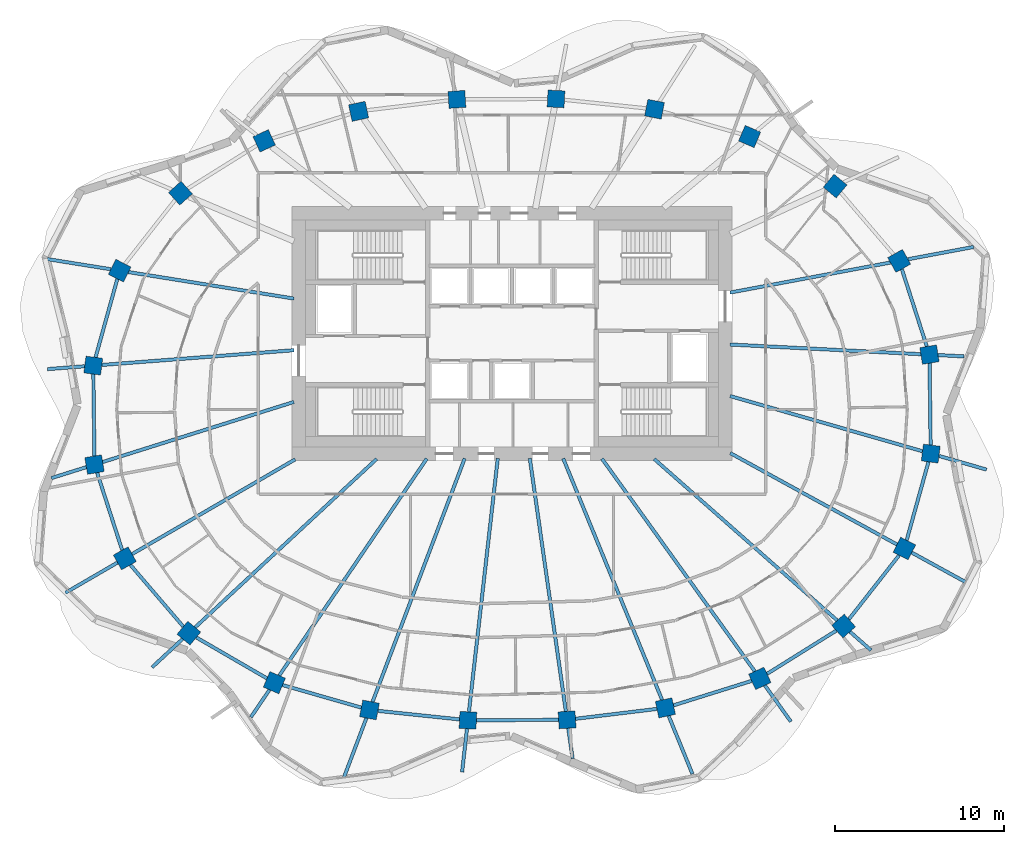
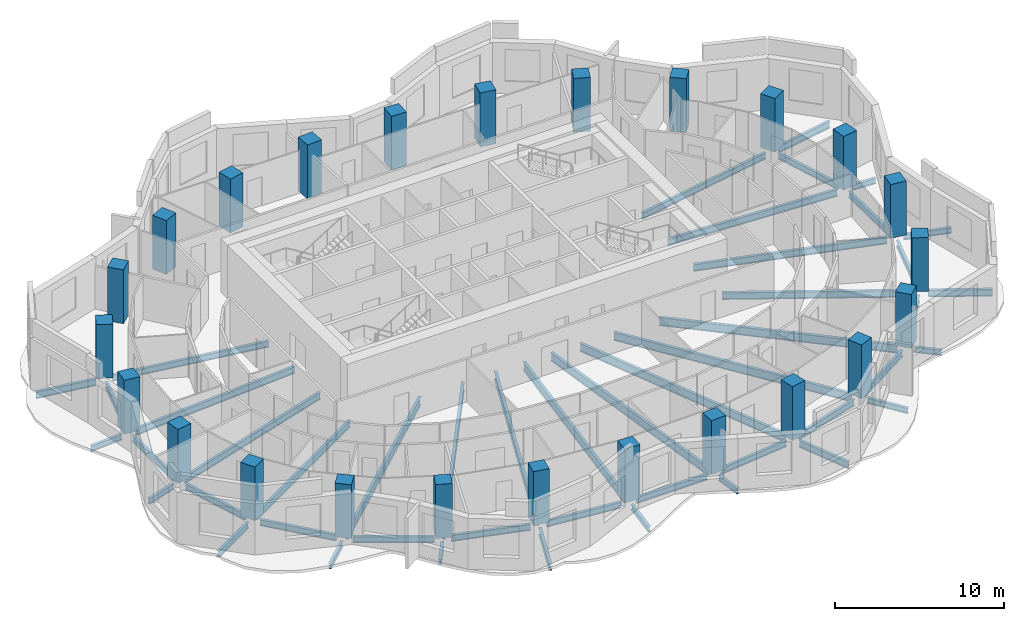
# One storey, part 1 of 11: 47 beams, 24 columns.
"""IFC4 building model written with IfcOpenShell, lengths in metres."""

from ifc_helpers import new_model, si_unit, direction, frame, origin, origin_2d, place, context, subcontext, project, spatial, rectangle, i_section, extrude, material, material_profile, profile_set, type_object, element, save


model = new_model("IFC4")

# Units and contexts
model_context = context("Model", 3, precision=1e-05, world=origin(), true_north=direction((0.0, 1.0)))
body_context = subcontext(model_context, "Body", "Model", "MODEL_VIEW")
ifc_project = project(units=[si_unit("LENGTHUNIT", "METRE"), si_unit("AREAUNIT", "SQUARE_METRE"), si_unit("VOLUMEUNIT", "CUBIC_METRE"), si_unit("PLANEANGLEUNIT", "RADIAN"), si_unit("MASSUNIT", "GRAM", prefix="KILO")], contexts=[model_context])

# Site, building, storey
site_placement = place(None, origin())
site = spatial("IfcSite", under=ifc_project, at=site_placement, CompositionType="ELEMENT")
building_placement = place(site_placement, origin())
building = spatial("IfcBuilding", under=site, at=building_placement, Name="Rubra Terraces Tower", CompositionType="ELEMENT")
storey_placement = place(building_placement, frame((0.0, 0.0, 197.39990234375)))
storey = spatial("IfcBuildingStorey", under=building, at=storey_placement, Name="L48", CompositionType="ELEMENT", Elevation=197.39990234375)

# Columns
ifc_material_1 = material(Name="Concrete C50", Category="concrete")
ifc_material_profile_1 = material_profile(ifc_material_1, rectangle(XDim=1.0, YDim=1.0, at=origin_2d()), Name="RC 1000x1000")
ifc_profile_set_1 = profile_set([ifc_material_profile_1], Name="Concrete C50")
column_type = type_object("IfcColumnType", Name="RING COLUMN RC 1000x1000 C50", PredefinedType="COLUMN", material=ifc_profile_set_1)
for number, where, z_axis, x_axis, name in (
    (1, (24.6689453125, 3.248046875, 0.0), (0.0, 0.0, 1.0), (-0.161559167715, 0.986863027642, 0.0), "column-L48-ring-01"),
    (2, (22.87890625, 8.787109375, 0.0), (0.0, 0.0, 1.0), (-0.48852601316, 0.872549330678, 0.0), "column-L48-ring-02"),
    (3, (19.092041015625, 13.208984375, 0.0), (0.0, 0.0, 1.0), (-0.76886986222, 0.63940529789, 0.0), "column-L48-ring-03"),
    (4, (14.0419921875, 16.135986328125, 0.0), (0.0, 0.0, 1.0), (-0.920167856842, 0.391524092789, 0.0), "column-L48-ring-04"),
    (5, (8.422119140625, 17.7490234375, 0.0), (0.0, 0.0, 1.0), (-0.981654668733, 0.19066754143, 0.0), "column-L48-ring-05"),
    (6, (2.60205078125, 18.35791015625, 0.0), (0.0, 0.0, 1.0), (-0.998764256028, 0.049698700995, 0.0), "column-L48-ring-06"),
    (7, (-3.25390625, 18.330078125, 0.0), (0.0, 0.0, 1.0), (-0.998031548759, -0.062713855578, 0.0), "column-L48-ring-07"),
    (8, (-9.06298828125, 17.625, 0.0), (0.0, 0.0, 1.0), (-0.977652674797, -0.210226657352, 0.0), "column-L48-ring-08"),
    (9, (-14.64306640625, 15.881103515625, 0.0), (0.0, 0.0, 1.0), (-0.908778580451, -0.417278673927, 0.0), "column-L48-ring-09"),
    (10, (-19.593017578125, 12.7900390625, 0.0), (0.0, 0.0, 1.0), (-0.744021317198, -0.668155879683, 0.0), "column-L48-ring-10"),
    (11, (-23.18505859375, 8.2099609375, 0.0), (0.0, 0.0, 1.0), (-0.451027931402, -0.892509834733, 0.0), "column-L48-ring-11"),
    (12, (-24.742919921875, 2.59912109375, 0.0), (0.0, 0.0, 1.0), (-0.128443684554, -0.991716804283, 0.0), "column-L48-ring-12"),
    (13, (-24.6689453125, -3.248046875, 0.0), (0.0, 0.0, 1.0), (0.161559167715, -0.986863027642, 0.0), "column-L48-ring-13"),
    (14, (-22.87890625, -8.787109375, 0.0), (0.0, 0.0, 1.0), (0.48852601316, -0.872549330678, 0.0), "column-L48-ring-14"),
    (15, (-19.092041015625, -13.208984375, 0.0), (0.0, 0.0, 1.0), (0.76886986222, -0.63940529789, 0.0), "column-L48-ring-15"),
    (16, (-14.0419921875, -16.135986328125, 0.0), (0.0, 0.0, 1.0), (0.920167856842, -0.391524092789, 0.0), "column-L48-ring-16"),
    (17, (-8.422119140625, -17.7490234375, 0.0), (0.0, 0.0, 1.0), (0.981654668733, -0.19066754143, 0.0), "column-L48-ring-17"),
    (18, (-2.60205078125, -18.35791015625, 0.0), (0.0, 0.0, 1.0), (0.998764256028, -0.049698700995, 0.0), "column-L48-ring-18"),
    (19, (3.25390625, -18.330078125, 0.0), (0.0, 0.0, 1.0), (0.998031548759, 0.062713855578, 0.0), "column-L48-ring-19"),
    (20, (9.06298828125, -17.625, 0.0), (0.0, 0.0, 1.0), (0.977652674797, 0.210226657352, 0.0), "column-L48-ring-20"),
    (21, (14.64306640625, -15.881103515625, 0.0), (0.0, 0.0, 1.0), (0.908778580451, 0.417278673927, 0.0), "column-L48-ring-21"),
    (22, (19.593017578125, -12.7900390625, 0.0), (0.0, 0.0, 1.0), (0.744021317198, 0.668155879683, 0.0), "column-L48-ring-22"),
    (23, (23.18505859375, -8.2099609375, 0.0), (0.0, 0.0, 1.0), (0.451027931402, 0.892509834733, 0.0), "column-L48-ring-23"),
    (24, (24.742919921875, -2.59912109375, 0.0), (0.0, 0.0, 1.0), (0.128443684554, 0.991716804283, 0.0), "column-L48-ring-24"),
):
    element("IfcColumn", number, at=place(storey_placement, frame(where, z_axis=z_axis, x_axis=x_axis)), inside=storey, type_object=column_type, Name=name, PredefinedType="COLUMN", context=body_context, shape_type="SweptSolid", body=[
        extrude(rectangle(XDim=1.0, YDim=1.0, at=origin_2d()), origin(), (0.0, 0.0, 1.0), 3.900146484375),
    ])

# Beams
ifc_material_2 = material(Name="Steel Q355B", Category="steel")
ifc_material_profile_2 = material_profile(ifc_material_2, i_section(OverallWidth=0.199951171875, OverallDepth=0.39990234375, WebThickness=0.008056640625, FlangeThickness=0.012939453125, at=origin_2d()), Name="HN 400x200x8x13")
ifc_profile_set_2 = profile_set([ifc_material_profile_2], Name="Steel Q355B")
beam_type_1 = type_object("IfcBeamType", Name="CANTILEVER BEAM HN 400x200x8x13", PredefinedType="BEAM", material=ifc_profile_set_2)
beam_1_placement = place(storey_placement, frame((25.179931640625, 3.221923828125, -0.39990234375), z_axis=(0.998705379321, -0.050868116877, 0.0), x_axis=(0.050868116877, 0.998705379321, 0.0)))
element("IfcBeam", 25, at=beam_1_placement, inside=storey, type_object=beam_type_1, Name="beam-L48-cant-01", PredefinedType="BEAM", context=body_context, shape_type="SweptSolid", body=[
    extrude(i_section(OverallWidth=0.199951171875, OverallDepth=0.39990234375, WebThickness=0.008056640625, FlangeThickness=0.012939453125, at=origin_2d()), origin(), (0.0, 0.0, 1.0), 1.531005859375),
])
beam_2_placement = place(storey_placement, frame((-25.251953125, 2.56005859375, -0.39990234375), z_axis=(-0.997072655985, -0.076459915552, 0.0), x_axis=(0.076459915552, -0.997072655985, 0.0)))
element("IfcBeam", 26, at=beam_2_placement, inside=storey, type_object=beam_type_1, Name="beam-L48-cant-12", PredefinedType="BEAM", context=body_context, shape_type="SweptSolid", body=[
    extrude(i_section(OverallWidth=0.199951171875, OverallDepth=0.39990234375, WebThickness=0.008056640625, FlangeThickness=0.012939453125, at=origin_2d()), origin(), (0.0, 0.0, 1.0), 2.20947265625),
])
beam_3_placement = place(storey_placement, frame((-25.15087890625, -3.39892578125, -0.39990234375), z_axis=(-0.953976176962, -0.299882399933, 0.0), x_axis=(0.299882399933, -0.953976176962, 0.0)))
element("IfcBeam", 27, at=beam_3_placement, inside=storey, type_object=beam_type_1, Name="beam-L48-cant-13", PredefinedType="BEAM", context=body_context, shape_type="SweptSolid", body=[
    extrude(i_section(OverallWidth=0.199951171875, OverallDepth=0.39990234375, WebThickness=0.008056640625, FlangeThickness=0.012939453125, at=origin_2d()), origin(), (0.0, 0.0, 1.0), 2.161376953125),
])
beam_4_placement = place(storey_placement, frame((-19.4619140625, -13.552001953125, -0.39990234375), z_axis=(-0.733131141313, -0.6800872956, 0.0), x_axis=(0.6800872956, -0.733131141313, 0.0)))
element("IfcBeam", 28, at=beam_4_placement, inside=storey, type_object=beam_type_1, Name="beam-L48-cant-15", PredefinedType="BEAM", context=body_context, shape_type="SweptSolid", body=[
    extrude(i_section(OverallWidth=0.199951171875, OverallDepth=0.39990234375, WebThickness=0.008056640625, FlangeThickness=0.012939453125, at=origin_2d()), origin(), (0.0, 0.0, 1.0), 2.4716796875),
])
beam_5_placement = place(storey_placement, frame((-14.3291015625, -16.556884765625, -0.39990234375), z_axis=(-0.562330561229, -0.826912534618, 0.0), x_axis=(0.826912534618, -0.562330561229, 0.0)))
element("IfcBeam", 29, at=beam_5_placement, inside=storey, type_object=beam_type_1, Name="beam-L48-cant-16", PredefinedType="BEAM", context=body_context, shape_type="SweptSolid", body=[
    extrude(i_section(OverallWidth=0.199951171875, OverallDepth=0.39990234375, WebThickness=0.008056640625, FlangeThickness=0.012939453125, at=origin_2d()), origin(), (0.0, 0.0, 1.0), 1.95068359375),
])
beam_6_placement = place(storey_placement, frame((-2.658935546875, -18.85595703125, -0.39990234375), z_axis=(-0.11286294962, -0.993610564861, 0.0), x_axis=(0.993610564861, -0.11286294962, 0.0)))
element("IfcBeam", 30, at=beam_6_placement, inside=storey, type_object=beam_type_1, Name="beam-L48-cant-18", PredefinedType="BEAM", context=body_context, shape_type="SweptSolid", body=[
    extrude(i_section(OverallWidth=0.199951171875, OverallDepth=0.39990234375, WebThickness=0.008056640625, FlangeThickness=0.012939453125, at=origin_2d()), origin(), (0.0, 0.0, 1.0), 2.578369140625),
])
beam_7_placement = place(storey_placement, frame((3.324951171875, -18.826904296875, -0.39990234375), z_axis=(0.141308200987, -0.989965652098, 0.0), x_axis=(0.989965652098, 0.141308200987, 0.0)))
element("IfcBeam", 31, at=beam_7_placement, inside=storey, type_object=beam_type_1, Name="beam-L48-cant-19", PredefinedType="BEAM", context=body_context, shape_type="SweptSolid", body=[
    extrude(i_section(OverallWidth=0.199951171875, OverallDepth=0.39990234375, WebThickness=0.008056640625, FlangeThickness=0.012939453125, at=origin_2d()), origin(), (0.0, 0.0, 1.0), 1.812255859375),
])
beam_8_placement = place(storey_placement, frame((14.93994140625, -16.294921875, -0.39990234375), z_axis=(0.583708638616, -0.811963192026, 0.0), x_axis=(0.811963192026, 0.583708638616, 0.0)))
element("IfcBeam", 32, at=beam_8_placement, inside=storey, type_object=beam_type_1, Name="beam-L48-cant-21", PredefinedType="BEAM", context=body_context, shape_type="SweptSolid", body=[
    extrude(i_section(OverallWidth=0.199951171875, OverallDepth=0.39990234375, WebThickness=0.008056640625, FlangeThickness=0.012939453125, at=origin_2d()), origin(), (0.0, 0.0, 1.0), 2.63330078125),
])
beam_9_placement = place(storey_placement, frame((19.969970703125, -13.123046875, -0.39990234375), z_axis=(0.749803442834, -0.661660635911, 0.0), x_axis=(0.661660635911, 0.749803442834, 0.0)))
element("IfcBeam", 33, at=beam_9_placement, inside=storey, type_object=beam_type_1, Name="beam-L48-cant-22", PredefinedType="BEAM", context=body_context, shape_type="SweptSolid", body=[
    extrude(i_section(OverallWidth=0.199951171875, OverallDepth=0.39990234375, WebThickness=0.008056640625, FlangeThickness=0.012939453125, at=origin_2d()), origin(), (0.0, 0.0, 1.0), 1.65625),
])
beam_10_placement = place(storey_placement, frame((25.22900390625, -2.738037109375, -0.39990234375), z_axis=(0.961186154609, -0.275900663625, 0.0), x_axis=(0.275900663625, 0.961186154609, 0.0)))
element("IfcBeam", 34, at=beam_10_placement, inside=storey, type_object=beam_type_1, Name="beam-L48-cant-24", PredefinedType="BEAM", context=body_context, shape_type="SweptSolid", body=[
    extrude(i_section(OverallWidth=0.199951171875, OverallDepth=0.39990234375, WebThickness=0.008056640625, FlangeThickness=0.012939453125, at=origin_2d()), origin(), (0.0, 0.0, 1.0), 2.924560546875),
])
ifc_material_profile_3 = material_profile(ifc_material_2, i_section(OverallWidth=0.198974609375, OverallDepth=0.446044921875, WebThickness=0.008056640625, FlangeThickness=0.011962890625, at=origin_2d()), Name="HN 446x199x8x12")
ifc_profile_set_3 = profile_set([ifc_material_profile_3], Name="Steel Q355B")
beam_type_2 = type_object("IfcBeamType", Name="CANTILEVER BEAM HN 446x199x8x12", PredefinedType="BEAM", material=ifc_profile_set_3)
beam_11_placement = place(storey_placement, frame((-23.31103515625, -9.0380859375, -0.4228515625), z_axis=(-0.864736046466, -0.50222661214, 0.0), x_axis=(0.50222661214, -0.864736046466, 0.0)))
element("IfcBeam", 35, at=beam_11_placement, inside=storey, type_object=beam_type_2, Name="beam-L48-cant-14", PredefinedType="BEAM", context=body_context, shape_type="SweptSolid", body=[
    extrude(i_section(OverallWidth=0.198974609375, OverallDepth=0.446044921875, WebThickness=0.008056640625, FlangeThickness=0.011962890625, at=origin_2d()), origin(), (0.0, 0.0, 1.0), 3.555908203125),
])
ifc_material_profile_4 = material_profile(ifc_material_2, i_section(OverallWidth=0.198974609375, OverallDepth=0.49609375, WebThickness=0.009033203125, FlangeThickness=0.013916015625, at=origin_2d()), Name="HN 496x199x9x14")
ifc_profile_set_4 = profile_set([ifc_material_profile_4], Name="Steel Q355B")
beam_type_3 = type_object("IfcBeamType", Name="CANTILEVER BEAM HN 496x199x9x14", PredefinedType="BEAM", material=ifc_profile_set_4)
beam_12_placement = place(storey_placement, frame((23.39794921875, 8.884033203125, -0.447998046875), z_axis=(0.982865888577, 0.18432212312, 0.0), x_axis=(-0.18432212312, 0.982865888577, 0.0)))
element("IfcBeam", 36, at=beam_12_placement, inside=storey, type_object=beam_type_3, Name="beam-L48-cant-02", PredefinedType="BEAM", context=body_context, shape_type="SweptSolid", body=[
    extrude(i_section(OverallWidth=0.198974609375, OverallDepth=0.49609375, WebThickness=0.009033203125, FlangeThickness=0.013916015625, at=origin_2d()), origin(), (0.0, 0.0, 1.0), 3.94970703125),
])
beam_13_placement = place(storey_placement, frame((-23.702880859375, 8.29296875, -0.447998046875), z_axis=(-0.98745581053, 0.157895605548, 0.0), x_axis=(-0.157895605548, -0.98745581053, 0.0)))
element("IfcBeam", 37, at=beam_13_placement, inside=storey, type_object=beam_type_3, Name="beam-L48-cant-11", PredefinedType="BEAM", context=body_context, shape_type="SweptSolid", body=[
    extrude(i_section(OverallWidth=0.198974609375, OverallDepth=0.49609375, WebThickness=0.009033203125, FlangeThickness=0.013916015625, at=origin_2d()), origin(), (0.0, 0.0, 1.0), 3.81298828125),
])
beam_14_placement = place(storey_placement, frame((-8.60205078125, -18.222900390625, -0.447998046875), z_axis=(-0.353975284334, -0.935254777096, 0.0), x_axis=(0.935254777096, -0.353975284334, 0.0)))
element("IfcBeam", 38, at=beam_14_placement, inside=storey, type_object=beam_type_3, Name="beam-L48-cant-17", PredefinedType="BEAM", context=body_context, shape_type="SweptSolid", body=[
    extrude(i_section(OverallWidth=0.198974609375, OverallDepth=0.49609375, WebThickness=0.009033203125, FlangeThickness=0.013916015625, at=origin_2d()), origin(), (0.0, 0.0, 1.0), 3.816162109375),
])
beam_15_placement = place(storey_placement, frame((9.256103515625, -18.094970703125, -0.447998046875), z_axis=(0.378876573118, -0.925447212078, 0.0), x_axis=(0.925447212078, 0.378876573118, 0.0)))
element("IfcBeam", 39, at=beam_15_placement, inside=storey, type_object=beam_type_3, Name="beam-L48-cant-20", PredefinedType="BEAM", context=body_context, shape_type="SweptSolid", body=[
    extrude(i_section(OverallWidth=0.198974609375, OverallDepth=0.49609375, WebThickness=0.009033203125, FlangeThickness=0.013916015625, at=origin_2d()), origin(), (0.0, 0.0, 1.0), 3.705078125),
])
beam_16_placement = place(storey_placement, frame((23.6240234375, -8.449951171875, -0.447998046875), z_axis=(0.876754126766, -0.480938874701, 0.0), x_axis=(0.480938874701, 0.876754126766, 0.0)))
element("IfcBeam", 40, at=beam_16_placement, inside=storey, type_object=beam_type_3, Name="beam-L48-cant-23", PredefinedType="BEAM", context=body_context, shape_type="SweptSolid", body=[
    extrude(i_section(OverallWidth=0.198974609375, OverallDepth=0.49609375, WebThickness=0.009033203125, FlangeThickness=0.013916015625, at=origin_2d()), origin(), (0.0, 0.0, 1.0), 3.8173828125),
])
ifc_material_profile_5 = material_profile(ifc_material_2, i_section(OverallWidth=0.198974609375, OverallDepth=0.446044921875, WebThickness=0.008056640625, FlangeThickness=0.011962890625, at=origin_2d()), Name="HN 446x199x8x12")
ifc_profile_set_5 = profile_set([ifc_material_profile_5], Name="Steel Q355B")
beam_type_4 = type_object("IfcBeamType", Name="FLOOR BEAM HN 446x199x8x12", PredefinedType="BEAM", material=ifc_profile_set_5)
beam_17_placement = place(storey_placement, frame((22.360107421875, 8.68994140625, -0.4228515625), z_axis=(-0.982895681695, -0.18416318553, 0.0), x_axis=(0.18416318553, -0.982895681695, 0.0)))
element("IfcBeam", 41, at=beam_17_placement, inside=storey, type_object=beam_type_4, Name="beam-L48-floor-02", PredefinedType="BEAM", context=body_context, shape_type="SweptSolid", body=[
    extrude(i_section(OverallWidth=0.198974609375, OverallDepth=0.446044921875, WebThickness=0.008056640625, FlangeThickness=0.011962890625, at=origin_2d()), origin(), (0.0, 0.0, 1.0), 9.64306640625),
])
beam_18_placement = place(storey_placement, frame((-22.6669921875, 8.126953125, -0.4228515625), z_axis=(0.987435404133, -0.158023171289, 0.0), x_axis=(0.158023171289, 0.987435404133, 0.0)))
element("IfcBeam", 42, at=beam_18_placement, inside=storey, type_object=beam_type_4, Name="beam-L48-floor-11", PredefinedType="BEAM", context=body_context, shape_type="SweptSolid", body=[
    extrude(i_section(OverallWidth=0.198974609375, OverallDepth=0.446044921875, WebThickness=0.008056640625, FlangeThickness=0.011962890625, at=origin_2d()), origin(), (0.0, 0.0, 1.0), 9.909423828125),
])
ifc_material_profile_6 = material_profile(ifc_material_2, i_section(OverallWidth=0.198974609375, OverallDepth=0.49609375, WebThickness=0.009033203125, FlangeThickness=0.013916015625, at=origin_2d()), Name="HN 496x199x9x14")
ifc_profile_set_6 = profile_set([ifc_material_profile_6], Name="Steel Q355B")
beam_type_5 = type_object("IfcBeamType", Name="FLOOR BEAM HN 496x199x9x14", PredefinedType="BEAM", material=ifc_profile_set_6)
beam_19_placement = place(storey_placement, frame((24.157958984375, 3.27392578125, -0.447998046875), z_axis=(-0.998716228561, 0.050654662269, 0.0), x_axis=(-0.050654662269, -0.998716228561, 0.0)))
element("IfcBeam", 43, at=beam_19_placement, inside=storey, type_object=beam_type_5, Name="beam-L48-floor-01", PredefinedType="BEAM", context=body_context, shape_type="SweptSolid", body=[
    extrude(i_section(OverallWidth=0.198974609375, OverallDepth=0.49609375, WebThickness=0.009033203125, FlangeThickness=0.013916015625, at=origin_2d()), origin(), (0.0, 0.0, 1.0), 11.29248046875),
])
beam_20_placement = place(storey_placement, frame((-24.23388671875, 2.637939453125, -0.447998046875), z_axis=(0.997063306908, 0.076581734234, 0.0), x_axis=(-0.076581734234, 0.997063306908, 0.0)))
element("IfcBeam", 44, at=beam_20_placement, inside=storey, type_object=beam_type_5, Name="beam-L48-floor-12", PredefinedType="BEAM", context=body_context, shape_type="SweptSolid", body=[
    extrude(i_section(OverallWidth=0.198974609375, OverallDepth=0.49609375, WebThickness=0.009033203125, FlangeThickness=0.013916015625, at=origin_2d()), origin(), (0.0, 0.0, 1.0), 11.387451171875),
])
beam_21_placement = place(storey_placement, frame((-24.18701171875, -3.096923828125, -0.447998046875), z_axis=(0.954040699023, 0.299677067204, 0.0), x_axis=(-0.299677067204, 0.954040699023, 0.0)))
element("IfcBeam", 45, at=beam_21_placement, inside=storey, type_object=beam_type_5, Name="beam-L48-floor-13", PredefinedType="BEAM", context=body_context, shape_type="SweptSolid", body=[
    extrude(i_section(OverallWidth=0.198974609375, OverallDepth=0.49609375, WebThickness=0.009033203125, FlangeThickness=0.013916015625, at=origin_2d()), origin(), (0.0, 0.0, 1.0), 11.845458984375),
])
beam_22_placement = place(storey_placement, frame((-22.447021484375, -8.535888671875, -0.447998046875), z_axis=(0.864755491844, 0.502193129508, 0.0), x_axis=(-0.502193129508, 0.864755491844, 0.0)))
element("IfcBeam", 46, at=beam_22_placement, inside=storey, type_object=beam_type_5, Name="beam-L48-floor-14", PredefinedType="BEAM", context=body_context, shape_type="SweptSolid", body=[
    extrude(i_section(OverallWidth=0.198974609375, OverallDepth=0.49609375, WebThickness=0.009033203125, FlangeThickness=0.013916015625, at=origin_2d()), origin(), (0.0, 0.0, 1.0), 11.14306640625),
])
beam_23_placement = place(storey_placement, frame((22.74609375, -7.969970703125, -0.447998046875), z_axis=(-0.876862055903, 0.480742066932, 0.0), x_axis=(-0.480742066932, -0.876862055903, 0.0)))
element("IfcBeam", 47, at=beam_23_placement, inside=storey, type_object=beam_type_5, Name="beam-L48-floor-23", PredefinedType="BEAM", context=body_context, shape_type="SweptSolid", body=[
    extrude(i_section(OverallWidth=0.198974609375, OverallDepth=0.49609375, WebThickness=0.009033203125, FlangeThickness=0.013916015625, at=origin_2d()), origin(), (0.0, 0.0, 1.0), 11.234375),
])
beam_24_placement = place(storey_placement, frame((24.257080078125, -2.4599609375, -0.447998046875), z_axis=(-0.961215754667, 0.275797521707, 0.0), x_axis=(-0.275797521707, -0.961215754667, 0.0)))
element("IfcBeam", 48, at=beam_24_placement, inside=storey, type_object=beam_type_5, Name="beam-L48-floor-24", PredefinedType="BEAM", context=body_context, shape_type="SweptSolid", body=[
    extrude(i_section(OverallWidth=0.198974609375, OverallDepth=0.49609375, WebThickness=0.009033203125, FlangeThickness=0.013916015625, at=origin_2d()), origin(), (0.0, 0.0, 1.0), 11.830810546875),
])
ifc_material_profile_7 = material_profile(ifc_material_2, i_section(OverallWidth=0.198974609375, OverallDepth=0.595947265625, WebThickness=0.010009765625, FlangeThickness=0.014892578125, at=origin_2d()), Name="HN 596x199x10x15")
ifc_profile_set_7 = profile_set([ifc_material_profile_7], Name="Steel Q355B")
beam_type_6 = type_object("IfcBeamType", Name="FLOOR BEAM HN 596x199x10x15", PredefinedType="BEAM", material=ifc_profile_set_7)
beam_25_placement = place(storey_placement, frame((-18.721923828125, -12.865966796875, -0.497802734375), z_axis=(0.733130458484, 0.680088031687, 0.0), x_axis=(-0.680088031687, 0.733130458484, 0.0)))
element("IfcBeam", 49, at=beam_25_placement, inside=storey, type_object=beam_type_6, Name="beam-L48-floor-15", PredefinedType="BEAM", context=body_context, shape_type="SweptSolid", body=[
    extrude(i_section(OverallWidth=0.198974609375, OverallDepth=0.595947265625, WebThickness=0.010009765625, FlangeThickness=0.014892578125, at=origin_2d()), origin(), (0.0, 0.0, 1.0), 14.62744140625),
])
beam_26_placement = place(storey_placement, frame((-13.7548828125, -15.715087890625, -0.497802734375), z_axis=(0.562545242124, 0.826766503049, 0.0), x_axis=(-0.826766503049, 0.562545242124, 0.0)))
element("IfcBeam", 50, at=beam_26_placement, inside=storey, type_object=beam_type_6, Name="beam-L48-floor-16", PredefinedType="BEAM", context=body_context, shape_type="SweptSolid", body=[
    extrude(i_section(OverallWidth=0.198974609375, OverallDepth=0.595947265625, WebThickness=0.010009765625, FlangeThickness=0.014892578125, at=origin_2d()), origin(), (0.0, 0.0, 1.0), 15.499267578125),
])
beam_27_placement = place(storey_placement, frame((-8.241943359375, -17.27490234375, -0.497802734375), z_axis=(0.353955134415, 0.93526240319, 0.0), x_axis=(-0.93526240319, 0.353955134415, 0.0)))
element("IfcBeam", 51, at=beam_27_placement, inside=storey, type_object=beam_type_6, Name="beam-L48-floor-17", PredefinedType="BEAM", context=body_context, shape_type="SweptSolid", body=[
    extrude(i_section(OverallWidth=0.198974609375, OverallDepth=0.595947265625, WebThickness=0.010009765625, FlangeThickness=0.014892578125, at=origin_2d()), origin(), (0.0, 0.0, 1.0), 15.3828125),
])
beam_28_placement = place(storey_placement, frame((-2.544921875, -17.860107421875, -0.497802734375), z_axis=(0.113084825914, 0.993585337124, 0.0), x_axis=(-0.993585337124, 0.113084825914, 0.0)))
element("IfcBeam", 52, at=beam_28_placement, inside=storey, type_object=beam_type_6, Name="beam-L48-floor-18", PredefinedType="BEAM", context=body_context, shape_type="SweptSolid", body=[
    extrude(i_section(OverallWidth=0.198974609375, OverallDepth=0.595947265625, WebThickness=0.010009765625, FlangeThickness=0.014892578125, at=origin_2d()), origin(), (0.0, 0.0, 1.0), 15.07568359375),
])
beam_29_placement = place(storey_placement, frame((3.18310546875, -17.8330078125, -0.497802734375), z_axis=(-0.141104514479, 0.989994705033, 0.0), x_axis=(-0.989994705033, -0.141104514479, 0.0)))
element("IfcBeam", 53, at=beam_29_placement, inside=storey, type_object=beam_type_6, Name="beam-L48-floor-19", PredefinedType="BEAM", context=body_context, shape_type="SweptSolid", body=[
    extrude(i_section(OverallWidth=0.198974609375, OverallDepth=0.595947265625, WebThickness=0.010009765625, FlangeThickness=0.014892578125, at=origin_2d()), origin(), (0.0, 0.0, 1.0), 15.10302734375),
])
beam_30_placement = place(storey_placement, frame((8.8701171875, -17.155029296875, -0.497802734375), z_axis=(-0.379015131933, 0.925390474214, 0.0), x_axis=(-0.925390474214, -0.379015131933, 0.0)))
element("IfcBeam", 54, at=beam_30_placement, inside=storey, type_object=beam_type_6, Name="beam-L48-floor-20", PredefinedType="BEAM", context=body_context, shape_type="SweptSolid", body=[
    extrude(i_section(OverallWidth=0.198974609375, OverallDepth=0.595947265625, WebThickness=0.010009765625, FlangeThickness=0.014892578125, at=origin_2d()), origin(), (0.0, 0.0, 1.0), 15.416259765625),
])
beam_31_placement = place(storey_placement, frame((14.345947265625, -15.467041015625, -0.497802734375), z_axis=(-0.583528740197, 0.812092488183, 0.0), x_axis=(-0.812092488183, -0.583528740197, 0.0)))
element("IfcBeam", 55, at=beam_31_placement, inside=storey, type_object=beam_type_6, Name="beam-L48-floor-21", PredefinedType="BEAM", context=body_context, shape_type="SweptSolid", body=[
    extrude(i_section(OverallWidth=0.198974609375, OverallDepth=0.595947265625, WebThickness=0.010009765625, FlangeThickness=0.014892578125, at=origin_2d()), origin(), (0.0, 0.0, 1.0), 15.47119140625),
])
beam_32_placement = place(storey_placement, frame((19.216064453125, -12.45703125, -0.497802734375), z_axis=(-0.749823025288, 0.661638444128, 0.0), x_axis=(-0.661638444128, -0.749823025288, 0.0)))
element("IfcBeam", 56, at=beam_32_placement, inside=storey, type_object=beam_type_6, Name="beam-L48-floor-22", PredefinedType="BEAM", context=body_context, shape_type="SweptSolid", body=[
    extrude(i_section(OverallWidth=0.198974609375, OverallDepth=0.595947265625, WebThickness=0.010009765625, FlangeThickness=0.014892578125, at=origin_2d()), origin(), (0.0, 0.0, 1.0), 14.412841796875),
])
ifc_material_profile_8 = material_profile(ifc_material_2, i_section(OverallWidth=0.198974609375, OverallDepth=0.446044921875, WebThickness=0.008056640625, FlangeThickness=0.011962890625, at=origin_2d()), Name="HN 446x199x8x12")
ifc_profile_set_8 = profile_set([ifc_material_profile_8], Name="Steel Q355B")
beam_type_7 = type_object("IfcBeamType", Name="SPANDREL BEAM HN 446x199x8x12", PredefinedType="SPANDREL", material=ifc_profile_set_8)
beam_33_placement = place(storey_placement, frame((24.512939453125, 3.72900390625, -0.4228515625), z_axis=(-0.307359002872, 0.951593633519, 0.0), x_axis=(-0.951593633519, -0.307359002872, 0.0)))
element("IfcBeam", 57, at=beam_33_placement, inside=storey, type_object=beam_type_7, Name="beam-L48-spandrel-01", PredefinedType="SPANDREL", context=body_context, shape_type="SweptSolid", body=[
    extrude(i_section(OverallWidth=0.198974609375, OverallDepth=0.446044921875, WebThickness=0.008056640625, FlangeThickness=0.011962890625, at=origin_2d()), origin(), (0.0, 0.0, 1.0), 4.8056640625),
])
beam_34_placement = place(storey_placement, frame((-23.321044921875, 7.718994140625, -0.4228515625), z_axis=(-0.267625533012, -0.963523001324, 0.0), x_axis=(0.963523001324, -0.267625533012, 0.0)))
element("IfcBeam", 58, at=beam_34_placement, inside=storey, type_object=beam_type_7, Name="beam-L48-spandrel-11", PredefinedType="SPANDREL", context=body_context, shape_type="SweptSolid", body=[
    extrude(i_section(OverallWidth=0.198974609375, OverallDepth=0.446044921875, WebThickness=0.008056640625, FlangeThickness=0.011962890625, at=origin_2d()), origin(), (0.0, 0.0, 1.0), 4.808349609375),
])
beam_35_placement = place(storey_placement, frame((-24.737060546875, 2.093994140625, -0.4228515625), z_axis=(0.012822047643, -0.999917794168, 0.0), x_axis=(0.999917794168, 0.012822047643, 0.0)))
element("IfcBeam", 59, at=beam_35_placement, inside=storey, type_object=beam_type_7, Name="beam-L48-spandrel-12", PredefinedType="SPANDREL", context=body_context, shape_type="SweptSolid", body=[
    extrude(i_section(OverallWidth=0.198974609375, OverallDepth=0.446044921875, WebThickness=0.008056640625, FlangeThickness=0.011962890625, at=origin_2d()), origin(), (0.0, 0.0, 1.0), 4.83642578125),
])
beam_36_placement = place(storey_placement, frame((-24.512939453125, -3.72900390625, -0.4228515625), z_axis=(0.307359002872, -0.951593633519, 0.0), x_axis=(0.951593633519, 0.307359002872, 0.0)))
element("IfcBeam", 60, at=beam_36_placement, inside=storey, type_object=beam_type_7, Name="beam-L48-spandrel-13", PredefinedType="SPANDREL", context=body_context, shape_type="SweptSolid", body=[
    extrude(i_section(OverallWidth=0.198974609375, OverallDepth=0.446044921875, WebThickness=0.008056640625, FlangeThickness=0.011962890625, at=origin_2d()), origin(), (0.0, 0.0, 1.0), 4.8056640625),
])
beam_37_placement = place(storey_placement, frame((-22.547119140625, -9.174072265625, -0.4228515625), z_axis=(0.650372836218, -0.759615148552, 0.0), x_axis=(0.759615148552, 0.650372836218, 0.0)))
element("IfcBeam", 61, at=beam_37_placement, inside=storey, type_object=beam_type_7, Name="beam-L48-spandrel-14", PredefinedType="SPANDREL", context=body_context, shape_type="SweptSolid", body=[
    extrude(i_section(OverallWidth=0.198974609375, OverallDepth=0.446044921875, WebThickness=0.008056640625, FlangeThickness=0.011962890625, at=origin_2d()), origin(), (0.0, 0.0, 1.0), 4.804931640625),
])
beam_38_placement = place(storey_placement, frame((-18.653076171875, -13.462890625, -0.4228515625), z_axis=(0.865153680787, -0.501506838059, 0.0), x_axis=(0.501506838059, 0.865153680787, 0.0)))
element("IfcBeam", 62, at=beam_38_placement, inside=storey, type_object=beam_type_7, Name="beam-L48-spandrel-15", PredefinedType="SPANDREL", context=body_context, shape_type="SweptSolid", body=[
    extrude(i_section(OverallWidth=0.198974609375, OverallDepth=0.446044921875, WebThickness=0.008056640625, FlangeThickness=0.011962890625, at=origin_2d()), origin(), (0.0, 0.0, 1.0), 4.82568359375),
])
beam_39_placement = place(storey_placement, frame((-13.55810546875, -16.27490234375, -0.4228515625), z_axis=(0.961171164323, -0.275952881621, 0.0), x_axis=(0.275952881621, 0.961171164323, 0.0)))
element("IfcBeam", 63, at=beam_39_placement, inside=storey, type_object=beam_type_7, Name="beam-L48-spandrel-16", PredefinedType="SPANDREL", context=body_context, shape_type="SweptSolid", body=[
    extrude(i_section(OverallWidth=0.198974609375, OverallDepth=0.446044921875, WebThickness=0.008056640625, FlangeThickness=0.011962890625, at=origin_2d()), origin(), (0.0, 0.0, 1.0), 4.842041015625),
])
beam_40_placement = place(storey_placement, frame((-7.923095703125, -17.801025390625, -0.4228515625), z_axis=(0.994565426955, -0.104113454971, 0.0), x_axis=(0.104113454971, 0.994565426955, 0.0)))
element("IfcBeam", 64, at=beam_40_placement, inside=storey, type_object=beam_type_7, Name="beam-L48-spandrel-17", PredefinedType="SPANDREL", context=body_context, shape_type="SweptSolid", body=[
    extrude(i_section(OverallWidth=0.198974609375, OverallDepth=0.446044921875, WebThickness=0.008056640625, FlangeThickness=0.011962890625, at=origin_2d()), origin(), (0.0, 0.0, 1.0), 4.849365234375),
])
beam_41_placement = place(storey_placement, frame((-2.10107421875, -18.35595703125, -0.4228515625), z_axis=(0.999987852299, 0.004929021704, 0.0), x_axis=(-0.004929021704, 0.999987852299, 0.0)))
element("IfcBeam", 65, at=beam_41_placement, inside=storey, type_object=beam_type_7, Name="beam-L48-spandrel-18", PredefinedType="SPANDREL", context=body_context, shape_type="SweptSolid", body=[
    extrude(i_section(OverallWidth=0.198974609375, OverallDepth=0.446044921875, WebThickness=0.008056640625, FlangeThickness=0.011962890625, at=origin_2d()), origin(), (0.0, 0.0, 1.0), 4.85400390625),
])
beam_42_placement = place(storey_placement, frame((3.7509765625, -18.27001953125, -0.4228515625), z_axis=(0.992698018573, 0.120626049929, 0.0), x_axis=(-0.120626049929, 0.992698018573, 0.0)))
element("IfcBeam", 66, at=beam_42_placement, inside=storey, type_object=beam_type_7, Name="beam-L48-spandrel-19", PredefinedType="SPANDREL", context=body_context, shape_type="SweptSolid", body=[
    extrude(i_section(OverallWidth=0.198974609375, OverallDepth=0.446044921875, WebThickness=0.008056640625, FlangeThickness=0.011962890625, at=origin_2d()), origin(), (0.0, 0.0, 1.0), 4.849365234375),
])
beam_43_placement = place(storey_placement, frame((9.5419921875, -17.47509765625, -0.4228515625), z_axis=(0.954462027342, 0.298332429282, 0.0), x_axis=(-0.298332429282, 0.954462027342, 0.0)))
element("IfcBeam", 67, at=beam_43_placement, inside=storey, type_object=beam_type_7, Name="beam-L48-spandrel-20", PredefinedType="SPANDREL", context=body_context, shape_type="SweptSolid", body=[
    extrude(i_section(OverallWidth=0.198974609375, OverallDepth=0.446044921875, WebThickness=0.008056640625, FlangeThickness=0.011962890625, at=origin_2d()), origin(), (0.0, 0.0, 1.0), 4.840576171875),
])
beam_44_placement = place(storey_placement, frame((15.071044921875, -15.614013671875, -0.4228515625), z_axis=(0.848183088492, 0.529703170083, 0.0), x_axis=(-0.529703170083, 0.848183088492, 0.0)))
element("IfcBeam", 68, at=beam_44_placement, inside=storey, type_object=beam_type_7, Name="beam-L48-spandrel-21", PredefinedType="SPANDREL", context=body_context, shape_type="SweptSolid", body=[
    extrude(i_section(OverallWidth=0.198974609375, OverallDepth=0.446044921875, WebThickness=0.008056640625, FlangeThickness=0.011962890625, at=origin_2d()), origin(), (0.0, 0.0, 1.0), 4.8232421875),
])
beam_45_placement = place(storey_placement, frame((19.906005859375, -12.39111328125, -0.4228515625), z_axis=(0.617060338015, 0.786915840004, 0.0), x_axis=(-0.786915840004, 0.617060338015, 0.0)))
element("IfcBeam", 69, at=beam_45_placement, inside=storey, type_object=beam_type_7, Name="beam-L48-spandrel-22", PredefinedType="SPANDREL", context=body_context, shape_type="SweptSolid", body=[
    extrude(i_section(OverallWidth=0.198974609375, OverallDepth=0.446044921875, WebThickness=0.008056640625, FlangeThickness=0.011962890625, at=origin_2d()), origin(), (0.0, 0.0, 1.0), 4.8037109375),
])
beam_46_placement = place(storey_placement, frame((23.321044921875, -7.718994140625, -0.4228515625), z_axis=(0.267625533012, 0.963523001324, 0.0), x_axis=(-0.963523001324, 0.267625533012, 0.0)))
element("IfcBeam", 70, at=beam_46_placement, inside=storey, type_object=beam_type_7, Name="beam-L48-spandrel-23", PredefinedType="SPANDREL", context=body_context, shape_type="SweptSolid", body=[
    extrude(i_section(OverallWidth=0.198974609375, OverallDepth=0.446044921875, WebThickness=0.008056640625, FlangeThickness=0.011962890625, at=origin_2d()), origin(), (0.0, 0.0, 1.0), 4.808349609375),
])
beam_47_placement = place(storey_placement, frame((24.737060546875, -2.093994140625, -0.4228515625), z_axis=(-0.012822047643, 0.999917794168, 0.0), x_axis=(-0.999917794168, -0.012822047643, 0.0)))
element("IfcBeam", 71, at=beam_47_placement, inside=storey, type_object=beam_type_7, Name="beam-L48-spandrel-24", PredefinedType="SPANDREL", context=body_context, shape_type="SweptSolid", body=[
    extrude(i_section(OverallWidth=0.198974609375, OverallDepth=0.446044921875, WebThickness=0.008056640625, FlangeThickness=0.011962890625, at=origin_2d()), origin(), (0.0, 0.0, 1.0), 4.83642578125),
])

save(model, "model.ifc")
